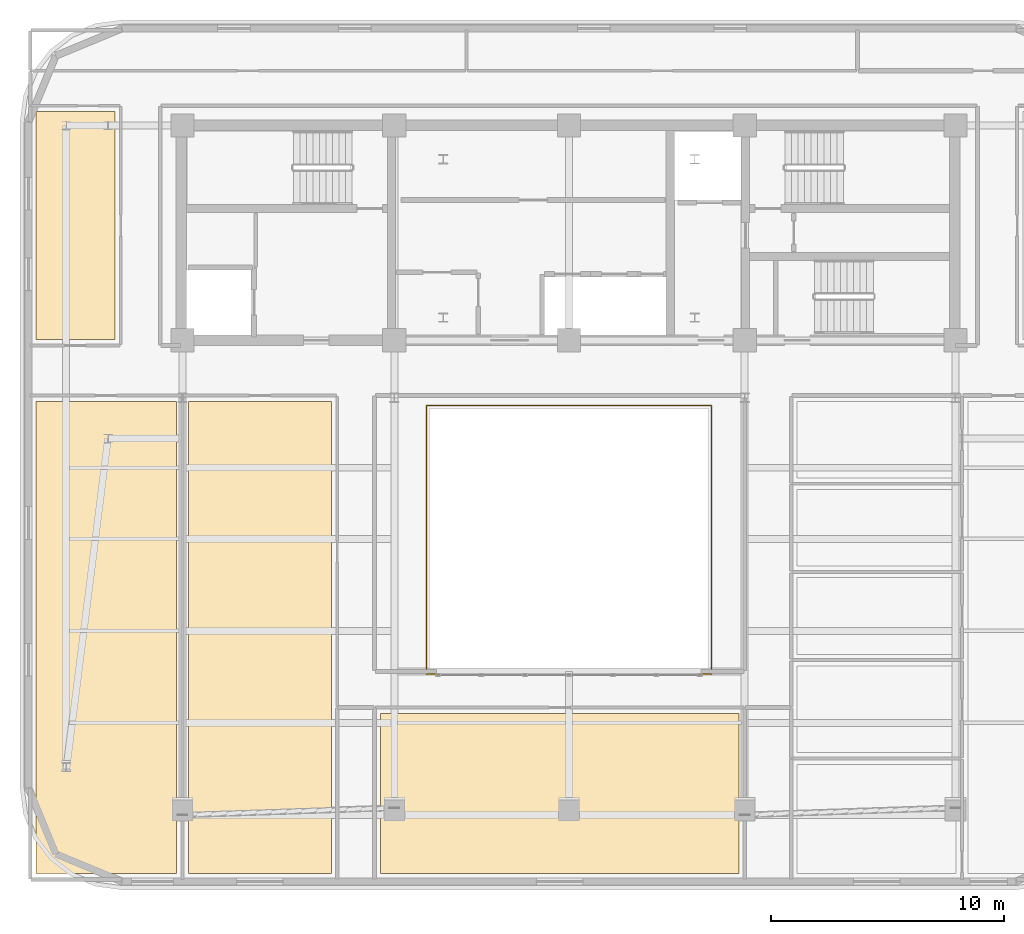
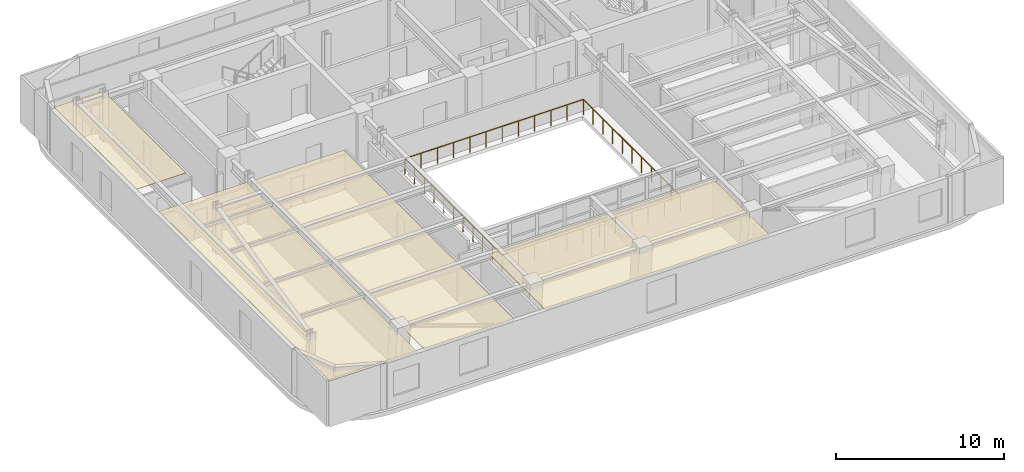
# One storey, part 10 of 13: 4 coverings, 1 railing.
"""IFC4 building model written with IfcOpenShell, lengths in metres."""

from ifc_helpers import new_model, si_unit, direction, frame, origin, origin_2d, place, context, subcontext, project, spatial, polyline, rectangle, outline, extrude, material, layer, layer_set, type_object, element, save


model = new_model("IFC4")

# Units and contexts
model_context = context("Model", 3, precision=1e-05, world=origin(), true_north=direction((0.0, 1.0)))
body_context = subcontext(model_context, "Body", "Model", "MODEL_VIEW")
ifc_project = project(units=[si_unit("LENGTHUNIT", "METRE"), si_unit("AREAUNIT", "SQUARE_METRE"), si_unit("VOLUMEUNIT", "CUBIC_METRE"), si_unit("PLANEANGLEUNIT", "RADIAN"), si_unit("MASSUNIT", "GRAM", prefix="KILO")], contexts=[model_context])

# Site, building, storey
site_placement = place(None, origin())
site = spatial("IfcSite", under=ifc_project, at=site_placement, CompositionType="ELEMENT")
building_placement = place(site_placement, origin())
building = spatial("IfcBuilding", under=site, at=building_placement, Name="Zarnavel Station Tower", CompositionType="ELEMENT")
storey_placement = place(building_placement, frame((0.0, 0.0, 204.0)))
storey = spatial("IfcBuildingStorey", under=building, at=storey_placement, Name="L55", CompositionType="ELEMENT", Elevation=204.0)

# Coverings
ifc_material_1 = material(Name="Perforated Gypsum and Mineral-Wool Acoustic Ceiling", Category="concrete")
ifc_layer = layer(ifc_material_1, 0.0400390625)
ifc_layer_set = layer_set([ifc_layer], Name="COV_CEIL_ACOUSTIC")
covering_type = type_object("IfcCoveringType", Name="COV_CEIL_ACOUSTIC", PredefinedType="CEILING", material=ifc_layer_set)
covering_1_placement = place(storey_placement, frame((0.0, 0.0, 3.02001953125)))
element("IfcCovering", 1, at=covering_1_placement, inside=storey, type_object=covering_type, Name="L55 FNW Acoustic Ceiling", PredefinedType="CEILING", context=body_context, shape_type="SweptSolid", body=[
    extrude(outline(polyline([(5.909912109375, 27.85009765625), (9.300048828125, 27.85009765625), (9.300048828125, 37.64990234375), (5.909912109375, 37.64990234375), (5.909912109375, 27.85009765625)])), origin(), (0.0, 0.0, 1.0), 0.0400390625),
])
covering_2_placement = place(storey_placement, frame((0.0, 0.0, 3.02001953125)))
element("IfcCovering", 2, at=covering_2_placement, inside=storey, type_object=covering_type, Name="L55 L55CIN Acoustic Ceiling", PredefinedType="CEILING", context=body_context, shape_type="SweptSolid", body=[
    extrude(outline(polyline([(5.909912109375, 4.909912109375), (11.949951171875, 4.909912109375), (11.949951171875, 25.199951171875), (5.909912109375, 25.199951171875), (5.909912109375, 4.909912109375)])), origin(), (0.0, 0.0, 1.0), 0.0400390625),
])
covering_3_placement = place(storey_placement, frame((0.0, 0.0, 3.02001953125)))
element("IfcCovering", 3, at=covering_3_placement, inside=storey, type_object=covering_type, Name="L55 L55MUS Acoustic Ceiling", PredefinedType="CEILING", context=body_context, shape_type="SweptSolid", body=[
    extrude(outline(polyline([(12.449951171875, 4.909912109375), (18.60009765625, 4.909912109375), (18.60009765625, 25.199951171875), (12.449951171875, 25.199951171875), (12.449951171875, 4.909912109375)])), origin(), (0.0, 0.0, 1.0), 0.0400390625),
])
covering_4_placement = place(storey_placement, frame((0.0, 0.0, 3.02001953125)))
element("IfcCovering", 4, at=covering_4_placement, inside=storey, type_object=covering_type, Name="L55 L55TEA Acoustic Ceiling", PredefinedType="CEILING", context=body_context, shape_type="SweptSolid", body=[
    extrude(outline(polyline([(20.699951171875, 4.909912109375), (36.10009765625, 4.909912109375), (36.10009765625, 11.800048828125), (20.699951171875, 11.800048828125), (20.699951171875, 4.909912109375)])), origin(), (0.0, 0.0, 1.0), 0.0400390625),
])

# Railing
ifc_material_2 = material(Name="Painted Steel S355J2 Balustrade", Category="steel")
railing_type = type_object("IfcRailingType", Name="GR_INT_1150", PredefinedType="GUARDRAIL", material=ifc_material_2)
railing_placement = place(storey_placement, frame((22.679931640625, 13.47998046875, 0.0)))
element("IfcRailing", 5, at=railing_placement, inside=storey, type_object=railing_type, Name="L55 Atrium Void Guardrail", PredefinedType="GUARDRAIL", context=body_context, shape_type="SweptSolid", body=[
    extrude(rectangle(XDim=0.048095703125, YDim=0.048095703125, at=origin_2d()), frame((0.001953125, 0.0, 1.1259765625), z_axis=(1.0, 0.0, 0.0), x_axis=(0.0, 1.0, 0.0)), (0.0, 0.0, 1.0), 12.236083984375),
    extrude(rectangle(XDim=0.048095703125, YDim=0.048095703125, at=origin_2d()), frame((12.239990234375, 0.001953125, 1.1259765625), z_axis=(0.0, 1.0, 0.0), x_axis=(-1.0, 0.0, 0.0)), (0.0, 0.0, 1.0), 11.5361328125),
    extrude(rectangle(XDim=0.048095703125, YDim=0.048095703125, at=origin_2d()), frame((12.238037109375, 11.5400390625, 1.1259765625), z_axis=(-1.0, 0.0, 0.0), x_axis=(0.0, -1.0, 0.0)), (0.0, 0.0, 1.0), 12.236083984375),
    extrude(rectangle(XDim=0.048095703125, YDim=0.048095703125, at=origin_2d()), frame((0.0, 11.5380859375, 1.1259765625), z_axis=(0.0, -1.0, 0.0), x_axis=(1.0, 0.0, 0.0)), (0.0, 0.0, 1.0), 11.5361328125),
    extrude(rectangle(XDim=0.0419921875, YDim=0.0419921875, at=origin_2d()), origin(), (0.0, 0.0, 1.0), 1.101806640625),
    extrude(rectangle(XDim=0.0419921875, YDim=0.0419921875, at=origin_2d()), frame((1.11279296875, 0.0, 0.0)), (0.0, 0.0, 1.0), 1.101806640625),
    extrude(rectangle(XDim=0.0419921875, YDim=0.0419921875, at=origin_2d()), frame((2.225341796875, 0.0, 0.0)), (0.0, 0.0, 1.0), 1.101806640625),
    extrude(rectangle(XDim=0.0419921875, YDim=0.0419921875, at=origin_2d()), frame((3.338134765625, 0.0, 0.0)), (0.0, 0.0, 1.0), 1.101806640625),
    extrude(rectangle(XDim=0.0419921875, YDim=0.0419921875, at=origin_2d()), frame((4.450927734375, 0.0, 0.0)), (0.0, 0.0, 1.0), 1.101806640625),
    extrude(rectangle(XDim=0.0419921875, YDim=0.0419921875, at=origin_2d()), frame((5.563720703125, 0.0, 0.0)), (0.0, 0.0, 1.0), 1.101806640625),
    extrude(rectangle(XDim=0.0419921875, YDim=0.0419921875, at=origin_2d()), frame((6.67626953125, 0.0, 0.0)), (0.0, 0.0, 1.0), 1.101806640625),
    extrude(rectangle(XDim=0.0419921875, YDim=0.0419921875, at=origin_2d()), frame((7.7890625, 0.0, 0.0)), (0.0, 0.0, 1.0), 1.101806640625),
    extrude(rectangle(XDim=0.0419921875, YDim=0.0419921875, at=origin_2d()), frame((8.90185546875, 0.0, 0.0)), (0.0, 0.0, 1.0), 1.101806640625),
    extrude(rectangle(XDim=0.0419921875, YDim=0.0419921875, at=origin_2d()), frame((10.0146484375, 0.0, 0.0)), (0.0, 0.0, 1.0), 1.101806640625),
    extrude(rectangle(XDim=0.0419921875, YDim=0.0419921875, at=origin_2d()), frame((11.127197265625, 0.0, 0.0)), (0.0, 0.0, 1.0), 1.101806640625),
    extrude(rectangle(XDim=0.0419921875, YDim=0.0419921875, at=origin_2d()), frame((12.239990234375, 0.0, 0.0)), (0.0, 0.0, 1.0), 1.101806640625),
    extrude(rectangle(XDim=0.0419921875, YDim=0.0419921875, at=origin_2d()), frame((12.239990234375, 1.154052734375, 0.0)), (0.0, 0.0, 1.0), 1.101806640625),
    extrude(rectangle(XDim=0.0419921875, YDim=0.0419921875, at=origin_2d()), frame((12.239990234375, 2.30810546875, 0.0)), (0.0, 0.0, 1.0), 1.101806640625),
    extrude(rectangle(XDim=0.0419921875, YDim=0.0419921875, at=origin_2d()), frame((12.239990234375, 3.4619140625, 0.0)), (0.0, 0.0, 1.0), 1.101806640625),
    extrude(rectangle(XDim=0.0419921875, YDim=0.0419921875, at=origin_2d()), frame((12.239990234375, 4.615966796875, 0.0)), (0.0, 0.0, 1.0), 1.101806640625),
    extrude(rectangle(XDim=0.0419921875, YDim=0.0419921875, at=origin_2d()), frame((12.239990234375, 5.77001953125, 0.0)), (0.0, 0.0, 1.0), 1.101806640625),
    extrude(rectangle(XDim=0.0419921875, YDim=0.0419921875, at=origin_2d()), frame((12.239990234375, 6.924072265625, 0.0)), (0.0, 0.0, 1.0), 1.101806640625),
    extrude(rectangle(XDim=0.0419921875, YDim=0.0419921875, at=origin_2d()), frame((12.239990234375, 8.078125, 0.0)), (0.0, 0.0, 1.0), 1.101806640625),
    extrude(rectangle(XDim=0.0419921875, YDim=0.0419921875, at=origin_2d()), frame((12.239990234375, 9.23193359375, 0.0)), (0.0, 0.0, 1.0), 1.101806640625),
    extrude(rectangle(XDim=0.0419921875, YDim=0.0419921875, at=origin_2d()), frame((12.239990234375, 10.385986328125, 0.0)), (0.0, 0.0, 1.0), 1.101806640625),
    extrude(rectangle(XDim=0.0419921875, YDim=0.0419921875, at=origin_2d()), frame((12.239990234375, 11.5400390625, 0.0)), (0.0, 0.0, 1.0), 1.101806640625),
    extrude(rectangle(XDim=0.0419921875, YDim=0.0419921875, at=origin_2d()), frame((11.127197265625, 11.5400390625, 0.0)), (0.0, 0.0, 1.0), 1.101806640625),
    extrude(rectangle(XDim=0.0419921875, YDim=0.0419921875, at=origin_2d()), frame((10.0146484375, 11.5400390625, 0.0)), (0.0, 0.0, 1.0), 1.101806640625),
    extrude(rectangle(XDim=0.0419921875, YDim=0.0419921875, at=origin_2d()), frame((8.90185546875, 11.5400390625, 0.0)), (0.0, 0.0, 1.0), 1.101806640625),
    extrude(rectangle(XDim=0.0419921875, YDim=0.0419921875, at=origin_2d()), frame((7.7890625, 11.5400390625, 0.0)), (0.0, 0.0, 1.0), 1.101806640625),
    extrude(rectangle(XDim=0.0419921875, YDim=0.0419921875, at=origin_2d()), frame((6.67626953125, 11.5400390625, 0.0)), (0.0, 0.0, 1.0), 1.101806640625),
    extrude(rectangle(XDim=0.0419921875, YDim=0.0419921875, at=origin_2d()), frame((5.563720703125, 11.5400390625, 0.0)), (0.0, 0.0, 1.0), 1.101806640625),
    extrude(rectangle(XDim=0.0419921875, YDim=0.0419921875, at=origin_2d()), frame((4.450927734375, 11.5400390625, 0.0)), (0.0, 0.0, 1.0), 1.101806640625),
    extrude(rectangle(XDim=0.0419921875, YDim=0.0419921875, at=origin_2d()), frame((3.338134765625, 11.5400390625, 0.0)), (0.0, 0.0, 1.0), 1.101806640625),
    extrude(rectangle(XDim=0.0419921875, YDim=0.0419921875, at=origin_2d()), frame((2.225341796875, 11.5400390625, 0.0)), (0.0, 0.0, 1.0), 1.101806640625),
    extrude(rectangle(XDim=0.0419921875, YDim=0.0419921875, at=origin_2d()), frame((1.11279296875, 11.5400390625, 0.0)), (0.0, 0.0, 1.0), 1.101806640625),
    extrude(rectangle(XDim=0.0419921875, YDim=0.0419921875, at=origin_2d()), frame((0.0, 11.5400390625, 0.0)), (0.0, 0.0, 1.0), 1.101806640625),
    extrude(rectangle(XDim=0.0419921875, YDim=0.0419921875, at=origin_2d()), frame((0.0, 10.385986328125, 0.0)), (0.0, 0.0, 1.0), 1.101806640625),
    extrude(rectangle(XDim=0.0419921875, YDim=0.0419921875, at=origin_2d()), frame((0.0, 9.23193359375, 0.0)), (0.0, 0.0, 1.0), 1.101806640625),
    extrude(rectangle(XDim=0.0419921875, YDim=0.0419921875, at=origin_2d()), frame((0.0, 8.078125, 0.0)), (0.0, 0.0, 1.0), 1.101806640625),
    extrude(rectangle(XDim=0.0419921875, YDim=0.0419921875, at=origin_2d()), frame((0.0, 6.924072265625, 0.0)), (0.0, 0.0, 1.0), 1.101806640625),
    extrude(rectangle(XDim=0.0419921875, YDim=0.0419921875, at=origin_2d()), frame((0.0, 5.77001953125, 0.0)), (0.0, 0.0, 1.0), 1.101806640625),
    extrude(rectangle(XDim=0.0419921875, YDim=0.0419921875, at=origin_2d()), frame((0.0, 4.615966796875, 0.0)), (0.0, 0.0, 1.0), 1.101806640625),
    extrude(rectangle(XDim=0.0419921875, YDim=0.0419921875, at=origin_2d()), frame((0.0, 3.4619140625, 0.0)), (0.0, 0.0, 1.0), 1.101806640625),
    extrude(rectangle(XDim=0.0419921875, YDim=0.0419921875, at=origin_2d()), frame((0.0, 2.30810546875, 0.0)), (0.0, 0.0, 1.0), 1.101806640625),
    extrude(rectangle(XDim=0.0419921875, YDim=0.0419921875, at=origin_2d()), frame((0.0, 1.154052734375, 0.0)), (0.0, 0.0, 1.0), 1.101806640625),
])

save(model, "model.ifc")
